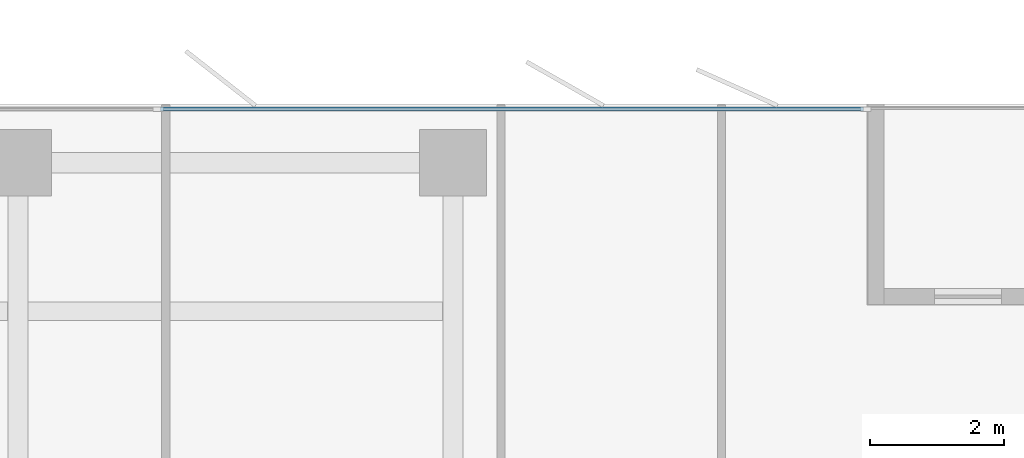
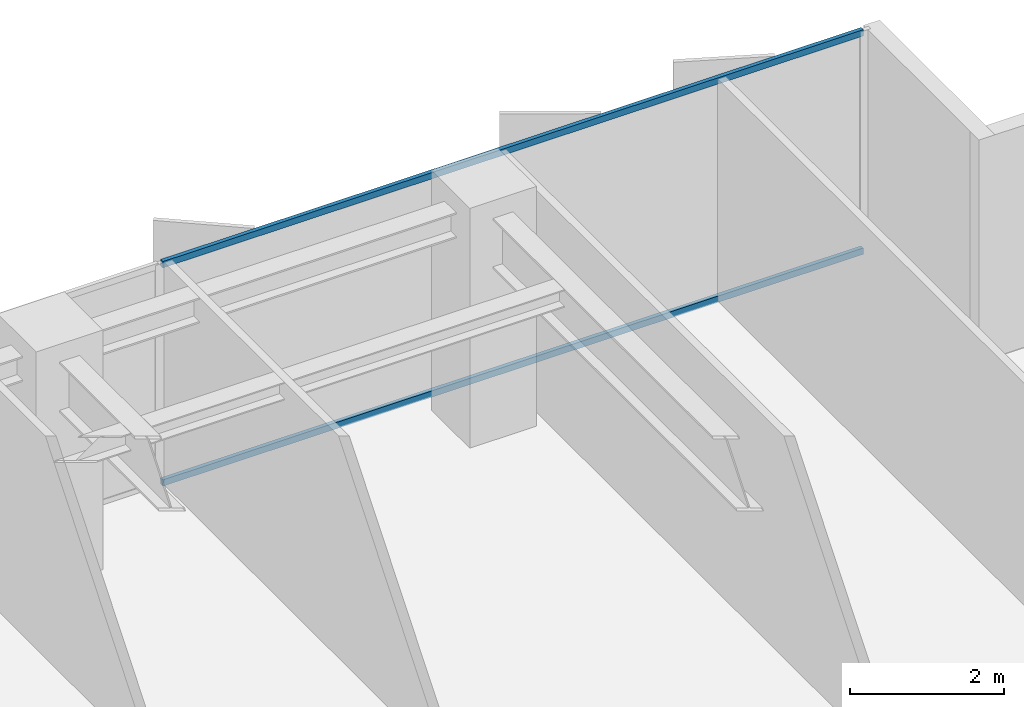
# One storey, part 11 of 22: 2 members, 1 element without a shape of its own.
"""IFC4 building model written with IfcOpenShell, lengths in metres."""

from ifc_helpers import new_model, si_unit, direction, frame, origin, origin_2d, place, context, subcontext, project, spatial, rectangle, extrude, material, layer, layer_set, material_profile, profile_set, type_object, element, aggregate, save


model = new_model("IFC4")

# Units and contexts
model_context = context("Model", 3, precision=1e-05, world=origin(), true_north=direction((0.0, 1.0)))
body_context = subcontext(model_context, "Body", "Model", "MODEL_VIEW")
ifc_project = project(units=[si_unit("LENGTHUNIT", "METRE"), si_unit("AREAUNIT", "SQUARE_METRE"), si_unit("VOLUMEUNIT", "CUBIC_METRE"), si_unit("PLANEANGLEUNIT", "RADIAN"), si_unit("MASSUNIT", "GRAM", prefix="KILO")], contexts=[model_context])

# Site, building, storey
site_placement = place(None, origin())
site = spatial("IfcSite", under=ifc_project, at=site_placement, CompositionType="ELEMENT")
building_placement = place(site_placement, origin())
building = spatial("IfcBuilding", under=site, at=building_placement, Name="Putna Gate Headquarters", CompositionType="ELEMENT")
storey_placement = place(building_placement, frame((0.0, 0.0, 193.60009765625)))
storey = spatial("IfcBuildingStorey", under=building, at=storey_placement, Name="L48", CompositionType="ELEMENT", Elevation=193.60009765625)

# Curtain wall, members
ifc_material_1 = material(Name="Anodised bronze aluminium curtain wall", Category="aluminium")
ifc_layer = layer(ifc_material_1, 0.159912109375)
ifc_layer_set = layer_set([ifc_layer], Name="Anodised bronze aluminium curtain wall")
curtain_wall_type = type_object("IfcCurtainWallType", Name="CW-SYS-Z3", PredefinedType="USERDEFINED", material=ifc_layer_set)
curtain_wall_placement = place(storey_placement, origin())
curtain_wall = element("IfcCurtainWall", 1, at=curtain_wall_placement, inside=storey, type_object=curtain_wall_type, Name="L48 North East Curtain Wall", ObjectType="STICK CURTAIN WALL", PredefinedType="USERDEFINED")
ifc_material_2 = material(Name="Anodised bronze aluminium EN AW-6060", Category="aluminium")
ifc_material_profile = material_profile(ifc_material_2, rectangle(XDim=0.06005859375, YDim=0.10009765625, at=origin_2d()), Name="Anodised bronze aluminium EN AW-6060")
ifc_profile_set = profile_set([ifc_material_profile], Name="Anodised bronze aluminium EN AW-6060")
member_type = type_object("IfcMemberType", Name="TRAN-CWT-3", PredefinedType="USERDEFINED", material=ifc_profile_set)
member_1_placement = place(storey_placement, frame((60.632568359375, 48.52001953125, 0.02978515625), z_axis=(1.0, 0.0, 0.0), x_axis=(0.0, 1.0, 0.0)))
member_1 = element("IfcMember", 2, at=member_1_placement, type_object=member_type, Name="CWS-3 transom 2.1", ObjectType="TRANSOM", PredefinedType="USERDEFINED", context=body_context, shape_type="SweptSolid", body=[
    extrude(rectangle(XDim=0.06005859375, YDim=0.10009765625, at=origin_2d()), origin(), (0.0, 0.0, 1.0), 10.50244140625),
])
member_2_placement = place(storey_placement, frame((60.632568359375, 48.52001953125, 3.489990234375), z_axis=(1.0, 0.0, 0.0), x_axis=(0.0, 1.0, 0.0)))
member_2 = element("IfcMember", 3, at=member_2_placement, type_object=member_type, Name="CWS-3 transom 2.2", ObjectType="TRANSOM", PredefinedType="USERDEFINED", context=body_context, shape_type="SweptSolid", body=[
    extrude(rectangle(XDim=0.06005859375, YDim=0.10009765625, at=origin_2d()), origin(), (0.0, 0.0, 1.0), 10.50244140625),
])
aggregate(curtain_wall, [member_1, member_2])

save(model, "model.ifc")
